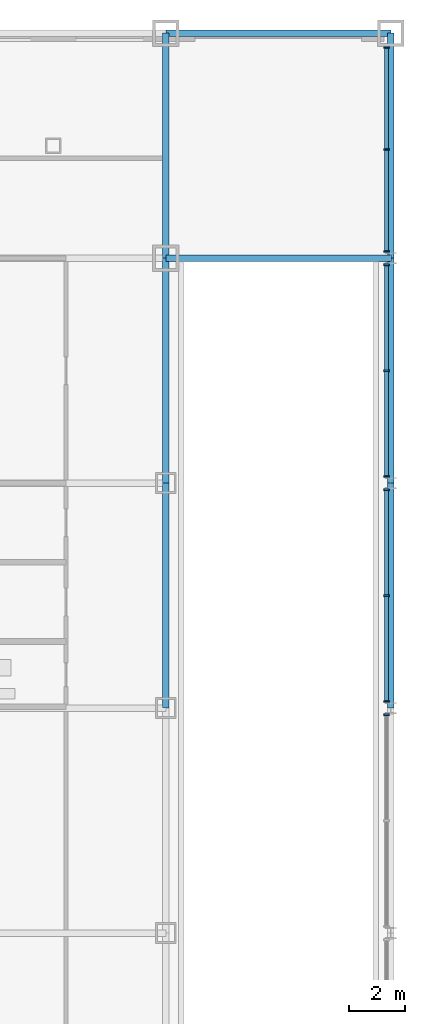
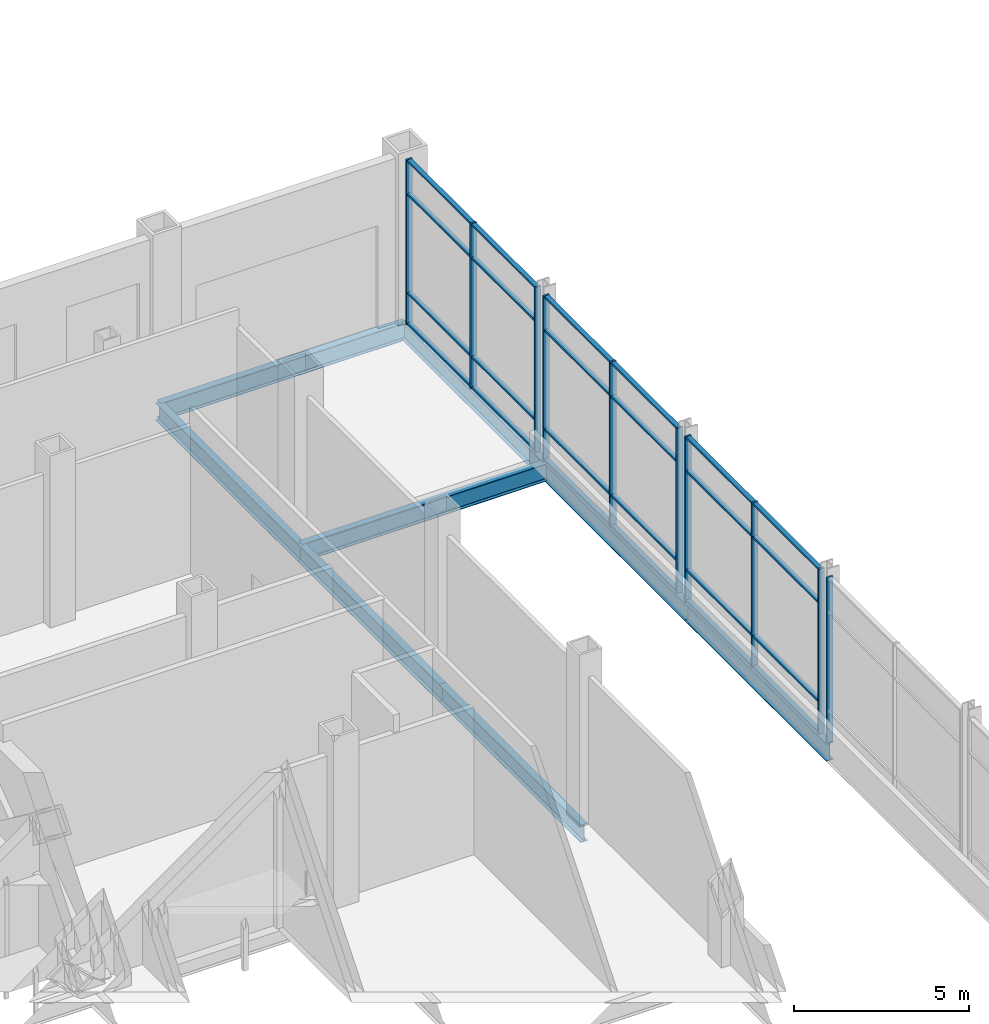
# One storey, part 18 of 35: 34 members, 8 beams, 4 elements without a shape of their own.
"""IFC4 building model written with IfcOpenShell, lengths in metres."""

import ifcopenshell
import ifcopenshell.guid

model = None  # the IFC model being written
_history = None  # IfcOwnerHistory: only IFC2X3 demands one
_inside = {}  # id of a spatial element -> (the spatial element, [elements in it])
_under = {}  # id of a project, library or spatial element -> (it, [spatial elements below it])
_declared = {}  # id of a project -> (the project, [libraries it declares])
_typed = {}  # id of a type object -> (the type object, [elements of that type])
_made_of = {}  # id of a material, layer set ... -> (it, [elements and type objects made of it])


def new_model(schema):
    """Start an empty IFC model of exactly this schema.

    Asked for "IFC4X3", IfcOpenShell would pick the latest addendum, in which some entities
    have other attributes; the version numbers below select the first issue.
    IFC2X3 requires an IfcOwnerHistory on every rooted entity: one is made here for all.
    """
    global model, _history
    if schema == "IFC4X3":
        model = ifcopenshell.file(schema_version=(4, 3, 0, 0))
    else:
        model = ifcopenshell.file(schema=schema)
    _inside.clear()
    _under.clear()
    _declared.clear()
    _typed.clear()
    _made_of.clear()
    _history = None
    if model.schema == "IFC2X3":
        org = make("IfcOrganization", Name="unknown")
        user = make(
            "IfcPersonAndOrganization",
            ThePerson=make("IfcPerson", FamilyName="unknown"),
            TheOrganization=org,
        )
        app = make(
            "IfcApplication",
            ApplicationDeveloper=org,
            Version="unknown",
            ApplicationFullName="unknown",
            ApplicationIdentifier="unknown",
        )
        _history = make(
            "IfcOwnerHistory",
            OwningUser=user,
            OwningApplication=app,
            ChangeAction="ADDED",
            CreationDate=0,
        )
    return model


def make(cls, **values):
    """One entity of the class cls with the attributes given. An attribute that is None is left unset."""
    return model.create_entity(
        cls, **{name: value for name, value in values.items() if value is not None}
    )


def rooted(cls, **values):
    """An entity with a GlobalId (a new one), such as an element, a storey or a relation."""
    return make(cls, GlobalId=ifcopenshell.guid.new(), OwnerHistory=_history, **values)


def si_unit(unit_type, name, prefix=None):
    """IfcSIUnit, for example si_unit("LENGTHUNIT", "METRE", prefix="MILLI")."""
    return make("IfcSIUnit", UnitType=unit_type, Prefix=prefix, Name=name)


def assignment(units):
    """IfcUnitAssignment: the units of a project."""
    return None if units is None else make("IfcUnitAssignment", Units=units)


def point(xyz):
    """IfcCartesianPoint."""
    return None if xyz is None else make("IfcCartesianPoint", Coordinates=xyz)


def direction(xyz):
    """IfcDirection."""
    return None if xyz is None else make("IfcDirection", DirectionRatios=xyz)


def frame(location, z_axis=None, x_axis=None):
    """IfcAxis2Placement3D, a coordinate frame: its origin and axes. An axis left out is left unset."""
    return make(
        "IfcAxis2Placement3D",
        Location=point(location),
        Axis=direction(z_axis),
        RefDirection=direction(x_axis),
    )


def frame_2d(location, x_axis=None):
    """IfcAxis2Placement2D, a coordinate frame in the plane: its origin and x axis."""
    return make(
        "IfcAxis2Placement2D", Location=point(location), RefDirection=direction(x_axis)
    )


def origin():
    """The frame at (0, 0, 0) with its axes left unset."""
    return frame((0.0, 0.0, 0.0))


def origin_2d():
    """The frame at (0, 0) in the plane with its x axis left unset."""
    return frame_2d((0.0, 0.0))


def place(relative_to, where):
    """IfcLocalPlacement: puts the frame where relative to a parent placement (None: the world)."""
    return make(
        "IfcLocalPlacement", PlacementRelTo=relative_to, RelativePlacement=where
    )


def context(
    kind, dimensions, precision=None, world=None, true_north=None, identifier=None
):
    """IfcGeometricRepresentationContext, for example the 3D "Model" context."""
    return make(
        "IfcGeometricRepresentationContext",
        ContextIdentifier=identifier,
        ContextType=kind,
        CoordinateSpaceDimension=dimensions,
        Precision=precision,
        WorldCoordinateSystem=world,
        TrueNorth=true_north,
    )


def subcontext(parent, identifier, kind, view, scale=None):
    """IfcGeometricRepresentationSubContext, for example "Body" below "Model"."""
    return make(
        "IfcGeometricRepresentationSubContext",
        ContextIdentifier=identifier,
        ContextType=kind,
        ParentContext=parent,
        TargetScale=scale,
        TargetView=view,
    )


def project(units=None, contexts=None):
    """IfcProject with its units and contexts."""
    return rooted(
        "IfcProject",
        Name="project",
        RepresentationContexts=contexts,
        UnitsInContext=assignment(units),
    )


def spatial(cls, under=None, at=None, **own):
    """A site, building, storey or space (cls), placed at a placement, below another one or the project."""
    s = rooted(cls, ObjectPlacement=at, **own)
    if under is not None:
        _under.setdefault(under.id(), (under, []))[1].append(s)
    return s


def profile(cls, at=None, kind="AREA", **sizes):
    """A parametric profile (cls). Its sizes go by their IFC names, for example OverallWidth=200.0."""
    return make(cls, ProfileType=kind, Position=at, **sizes)


def rectangle(**sizes):
    """IfcRectangleProfileDef."""
    return profile("IfcRectangleProfileDef", **sizes)


def i_section(**sizes):
    """IfcIShapeProfileDef."""
    return profile("IfcIShapeProfileDef", **sizes)


def extrude(swept, where, along, depth):
    """IfcExtrudedAreaSolid: the profile swept, set in the frame where, extruded along a direction by depth."""
    return make(
        "IfcExtrudedAreaSolid",
        SweptArea=swept,
        Position=where,
        ExtrudedDirection=direction(along),
        Depth=depth,
    )


def shape(context_of_items, identifier, shape_type, items):
    """IfcShapeRepresentation: the items that make up one representation, for example the "Body"."""
    return make(
        "IfcShapeRepresentation",
        ContextOfItems=context_of_items,
        RepresentationIdentifier=identifier,
        RepresentationType=shape_type,
        Items=items,
    )


def material(Name=None, Category=None):
    """IfcMaterial."""
    return make("IfcMaterial", Name=Name, Category=Category)


def material_profile(
    of_material, cross_section, Name=None, Category=None, Priority=None
):
    """IfcMaterialProfile: a cross section and its material."""
    return make(
        "IfcMaterialProfile",
        Name=Name,
        Material=of_material,
        Profile=cross_section,
        Priority=Priority,
        Category=Category,
    )


def profile_set(profiles, Name=None, composite=None):
    """IfcMaterialProfileSet."""
    return make(
        "IfcMaterialProfileSet",
        Name=Name,
        MaterialProfiles=profiles,
        CompositeProfile=composite,
    )


def made_of(thing, what):
    """Note that an element or type object is made of a material, layer set ...; save() writes the relation."""
    if what is not None:
        _made_of.setdefault(what.id(), (what, []))[1].append(thing)
    return thing


def type_object(cls, material=None, **own):
    """A type object (cls), such as IfcWallType, which elements share."""
    return made_of(rooted(cls, **own), material)


def element(
    cls,
    number,
    at=None,
    inside=None,
    cuts=None,
    type_object=None,
    material=None,
    context=None,
    identifier="Body",
    shape_type=None,
    held_by="IfcProductDefinitionShape",
    body=None,
    shapes=None,
    **own,
):
    """One element of the class cls, such as IfcWall. Its Tag is "e" and its number.

    at: its placement. inside: the storey or other place that contains it. cuts: it is an
    opening in that element (IfcRelVoidsElement). A single representation is given by context,
    identifier, shape_type and body (its items); several are given by shapes. held_by: the class
    of the entity that holds the representations. save() writes the other relations.
    """
    e = rooted(cls, Tag="e%d" % number, ObjectPlacement=at, **own)
    if body is not None:
        shapes = [shape(context, identifier, shape_type, body)]
    if shapes is not None:
        e.Representation = make(held_by, Representations=shapes)
    if inside is not None:
        _inside.setdefault(inside.id(), (inside, []))[1].append(e)
    if cuts is not None:
        rooted(
            "IfcRelVoidsElement", RelatingBuildingElement=cuts, RelatedOpeningElement=e
        )
    if type_object is not None:
        _typed.setdefault(type_object.id(), (type_object, []))[1].append(e)
    return made_of(e, material)


def aggregate(whole, parts):
    """IfcRelAggregates: a whole, such as a stair, and the parts it consists of."""
    return rooted("IfcRelAggregates", RelatingObject=whole, RelatedObjects=parts)


def save(model, path):
    """Write the relations noted so far, then the file.

    IfcRelAggregates (storeys below a building ...), IfcRelContainedInSpatialStructure (elements
    in a storey), IfcRelDefinesByType, IfcRelAssociatesMaterial and IfcRelDeclares: one each for
    every whole, place, type object, material and project.
    """
    for whole, parts in _under.values():
        aggregate(whole, parts)
    for where, things in _inside.values():
        rooted(
            "IfcRelContainedInSpatialStructure",
            RelatedElements=things,
            RelatingStructure=where,
        )
    for kind, things in _typed.values():
        rooted("IfcRelDefinesByType", RelatedObjects=things, RelatingType=kind)
    for what, things in _made_of.values():
        rooted("IfcRelAssociatesMaterial", RelatedObjects=things, RelatingMaterial=what)
    for by, libraries in _declared.values():
        rooted("IfcRelDeclares", RelatingContext=by, RelatedDefinitions=libraries)
    model.write(path)


model = new_model("IFC4")

# Units and contexts
model_context = context("Model", 3, precision=1e-05, world=origin(), true_north=direction((0.0, 1.0)))
body_context = subcontext(model_context, "Body", "Model", "MODEL_VIEW")
ifc_project = project(units=[si_unit("LENGTHUNIT", "METRE"), si_unit("AREAUNIT", "SQUARE_METRE"), si_unit("VOLUMEUNIT", "CUBIC_METRE"), si_unit("PLANEANGLEUNIT", "RADIAN"), si_unit("MASSUNIT", "GRAM", prefix="KILO")], contexts=[model_context])

# Site, building, storey
site_placement = place(None, origin())
site = spatial("IfcSite", under=ifc_project, at=site_placement, CompositionType="ELEMENT")
building_placement = place(site_placement, origin())
building = spatial("IfcBuilding", under=site, at=building_placement, Name="Kopane Lantern Tower", CompositionType="ELEMENT")
storey_placement = place(building_placement, origin())
storey = spatial("IfcBuildingStorey", under=building, at=storey_placement, Name="L00", CompositionType="ELEMENT", Elevation=0.0)

# Beams
ifc_material_1 = material(Name="Steel S355JR", Category="steel")
ifc_material_profile_1 = material_profile(ifc_material_1, i_section(OverallWidth=0.22900390625, OverallDepth=0.6123046875, WebThickness=0.011962890625, FlangeThickness=0.01953125, FilletRadius=0.0126953125, at=origin_2d()), Name="UB 610x229x125")
ifc_profile_set_1 = profile_set([ifc_material_profile_1], Name="Steel S355JR")
beam_type = type_object("IfcBeamType", Name="GIRDER UB 610x229x125", PredefinedType="BEAM", material=ifc_profile_set_1)
beam_1_placement = place(storey_placement, frame((56.699951171875, 24.300048828125, -0.55615234375), z_axis=(0.0, 1.0, 0.0), x_axis=(-1.0, 0.0, 0.0)))
element("IfcBeam", 1, at=beam_1_placement, inside=storey, type_object=beam_type, Name="Girder L00", PredefinedType="BEAM", context=body_context, shape_type="SweptSolid", body=[
    extrude(i_section(OverallWidth=0.22900390625, OverallDepth=0.6123046875, WebThickness=0.011962890625, FlangeThickness=0.01953125, FilletRadius=0.0126953125, at=origin_2d()), origin(), (0.0, 0.0, 1.0), 8.099853515625),
])
for number, where, z_axis, x_axis, name in (
    (2, (56.699951171875, 32.39990234375, -0.55615234375), (0.0, 1.0, 0.0), (-1.0, 0.0, 0.0), "Girder L00"),
    (3, (56.699951171875, 40.5, -0.55615234375), (0.0, 1.0, 0.0), (-1.0, 0.0, 0.0), "Girder L00"),
    (4, (56.699951171875, 40.5, -0.55615234375), (1.0, 0.0, 0.0), (0.0, 1.0, 0.0), "Girder L00"),
    (5, (56.699951171875, 48.60009765625, -0.55615234375), (1.0, 0.0, 0.0), (0.0, 1.0, 0.0), "Girder L00"),
):
    element("IfcBeam", number, at=place(storey_placement, frame(where, z_axis=z_axis, x_axis=x_axis)), inside=storey, type_object=beam_type, Name=name, PredefinedType="BEAM", context=body_context, shape_type="SweptSolid", body=[
        extrude(i_section(OverallWidth=0.22900390625, OverallDepth=0.6123046875, WebThickness=0.011962890625, FlangeThickness=0.01953125, FilletRadius=0.0126953125, at=origin_2d()), origin(), (0.0, 0.0, 1.0), 8.10009765625),
    ])
beam_2_placement = place(storey_placement, frame((64.800048828125, 24.300048828125, -0.55615234375), z_axis=(0.0, 1.0, 0.0), x_axis=(-1.0, 0.0, 0.0)))
element("IfcBeam", 6, at=beam_2_placement, inside=storey, type_object=beam_type, Name="Girder L00", PredefinedType="BEAM", context=body_context, shape_type="SweptSolid", body=[
    extrude(i_section(OverallWidth=0.22900390625, OverallDepth=0.6123046875, WebThickness=0.011962890625, FlangeThickness=0.01953125, FilletRadius=0.0126953125, at=origin_2d()), origin(), (0.0, 0.0, 1.0), 8.099853515625),
])
for number, where, z_axis, x_axis, name in (
    (7, (64.800048828125, 32.39990234375, -0.55615234375), (0.0, 1.0, 0.0), (-1.0, 0.0, 0.0), "Girder L00"),
    (8, (64.800048828125, 40.5, -0.55615234375), (0.0, 1.0, 0.0), (-1.0, 0.0, 0.0), "Girder L00"),
):
    element("IfcBeam", number, at=place(storey_placement, frame(where, z_axis=z_axis, x_axis=x_axis)), inside=storey, type_object=beam_type, Name=name, PredefinedType="BEAM", context=body_context, shape_type="SweptSolid", body=[
        extrude(i_section(OverallWidth=0.22900390625, OverallDepth=0.6123046875, WebThickness=0.011962890625, FlangeThickness=0.01953125, FilletRadius=0.0126953125, at=origin_2d()), origin(), (0.0, 0.0, 1.0), 8.10009765625),
    ])

# Curtain wall, member
ifc_material_2 = material(Name="Aluminium and clear glass", Category="aluminium")
curtain_wall_type = type_object("IfcCurtainWallType", Name="CURTAIN WALL CW1 PODIUM STOREFRONT", PredefinedType="USERDEFINED", material=ifc_material_2)
curtain_wall_1_placement = place(storey_placement, origin())
curtain_wall_1 = element("IfcCurtainWall", 9, at=curtain_wall_1_placement, inside=storey, type_object=curtain_wall_type, Name="Curtain wall CW1 E L00", ObjectType="CURTAIN WALL", PredefinedType="USERDEFINED")
ifc_material_3 = material(Name="Aluminium", Category="aluminium")
ifc_material_profile_2 = material_profile(ifc_material_3, rectangle(XDim=0.06494140625, YDim=0.199951171875, at=origin_2d()), Name="AL 65x200")
ifc_profile_set_2 = profile_set([ifc_material_profile_2], Name="Aluminium")
member_type_1 = type_object("IfcMemberType", Name="MULLION CW1-M 65x200", PredefinedType="MULLION", material=ifc_profile_set_2)
member_1_placement = place(storey_placement, frame((64.64990234375, 24.059326171875, 0.0), z_axis=(0.0, 0.0, 1.0), x_axis=(0.0, 1.0, 0.0)))
member_1 = element("IfcMember", 10, at=member_1_placement, type_object=member_type_1, Name="CW1 mullion 3", PredefinedType="MULLION", context=body_context, shape_type="SweptSolid", body=[
    extrude(rectangle(XDim=0.06494140625, YDim=0.199951171875, at=origin_2d()), origin(), (0.0, 0.0, 1.0), 5.75),
])
aggregate(curtain_wall_1, [member_1])

# Curtain wall, members
curtain_wall_2_placement = place(storey_placement, origin())
curtain_wall_2 = element("IfcCurtainWall", 11, at=curtain_wall_2_placement, inside=storey, type_object=curtain_wall_type, Name="Curtain wall CW1 E L00", ObjectType="CURTAIN WALL", PredefinedType="USERDEFINED")
member_2_placement = place(storey_placement, frame((64.64990234375, 24.540771484375, 0.0), z_axis=(0.0, 0.0, 1.0), x_axis=(0.0, 1.0, 0.0)))
member_2 = element("IfcMember", 12, at=member_2_placement, type_object=member_type_1, Name="CW1 mullion 1", PredefinedType="MULLION", context=body_context, shape_type="SweptSolid", body=[
    extrude(rectangle(XDim=0.06494140625, YDim=0.199951171875, at=origin_2d()), origin(), (0.0, 0.0, 1.0), 5.75),
])
member_3_placement = place(storey_placement, frame((64.64990234375, 28.35009765625, 0.0), z_axis=(0.0, 0.0, 1.0), x_axis=(0.0, 1.0, 0.0)))
member_3 = element("IfcMember", 13, at=member_3_placement, type_object=member_type_1, Name="CW1 mullion 2", PredefinedType="MULLION", context=body_context, shape_type="SweptSolid", body=[
    extrude(rectangle(XDim=0.06494140625, YDim=0.199951171875, at=origin_2d()), origin(), (0.0, 0.0, 1.0), 5.75),
])
member_4_placement = place(storey_placement, frame((64.64990234375, 32.1591796875, 0.0), z_axis=(0.0, 0.0, 1.0), x_axis=(0.0, 1.0, 0.0)))
member_4 = element("IfcMember", 14, at=member_4_placement, type_object=member_type_1, Name="CW1 mullion 3", PredefinedType="MULLION", context=body_context, shape_type="SweptSolid", body=[
    extrude(rectangle(XDim=0.06494140625, YDim=0.199951171875, at=origin_2d()), origin(), (0.0, 0.0, 1.0), 5.75),
])

curtain_wall_3_placement = place(storey_placement, origin())
curtain_wall_3 = element("IfcCurtainWall", 15, at=curtain_wall_3_placement, inside=storey, type_object=curtain_wall_type, Name="Curtain wall CW1 E L00", ObjectType="CURTAIN WALL", PredefinedType="USERDEFINED")
member_5_placement = place(storey_placement, frame((64.64990234375, 32.640625, 0.0), z_axis=(0.0, 0.0, 1.0), x_axis=(0.0, 1.0, 0.0)))
member_5 = element("IfcMember", 16, at=member_5_placement, type_object=member_type_1, Name="CW1 mullion 1", PredefinedType="MULLION", context=body_context, shape_type="SweptSolid", body=[
    extrude(rectangle(XDim=0.06494140625, YDim=0.199951171875, at=origin_2d()), origin(), (0.0, 0.0, 1.0), 5.75),
])
member_6_placement = place(storey_placement, frame((64.64990234375, 36.449951171875, 0.0), z_axis=(0.0, 0.0, 1.0), x_axis=(0.0, 1.0, 0.0)))
member_6 = element("IfcMember", 17, at=member_6_placement, type_object=member_type_1, Name="CW1 mullion 2", PredefinedType="MULLION", context=body_context, shape_type="SweptSolid", body=[
    extrude(rectangle(XDim=0.06494140625, YDim=0.199951171875, at=origin_2d()), origin(), (0.0, 0.0, 1.0), 5.75),
])
member_7_placement = place(storey_placement, frame((64.64990234375, 40.25927734375, 0.0), z_axis=(0.0, 0.0, 1.0), x_axis=(0.0, 1.0, 0.0)))
member_7 = element("IfcMember", 18, at=member_7_placement, type_object=member_type_1, Name="CW1 mullion 3", PredefinedType="MULLION", context=body_context, shape_type="SweptSolid", body=[
    extrude(rectangle(XDim=0.06494140625, YDim=0.199951171875, at=origin_2d()), origin(), (0.0, 0.0, 1.0), 5.75),
])

curtain_wall_4_placement = place(storey_placement, origin())
curtain_wall_4 = element("IfcCurtainWall", 19, at=curtain_wall_4_placement, inside=storey, type_object=curtain_wall_type, Name="Curtain wall CW1 E L00", ObjectType="CURTAIN WALL", PredefinedType="USERDEFINED")
member_8_placement = place(storey_placement, frame((64.64990234375, 40.74072265625, 0.0), z_axis=(0.0, 0.0, 1.0), x_axis=(0.0, 1.0, 0.0)))
member_8 = element("IfcMember", 20, at=member_8_placement, type_object=member_type_1, Name="CW1 mullion 1", PredefinedType="MULLION", context=body_context, shape_type="SweptSolid", body=[
    extrude(rectangle(XDim=0.06494140625, YDim=0.199951171875, at=origin_2d()), origin(), (0.0, 0.0, 1.0), 5.75),
])
member_9_placement = place(storey_placement, frame((64.64990234375, 44.4140625, 0.0), z_axis=(0.0, 0.0, 1.0), x_axis=(0.0, 1.0, 0.0)))
member_9 = element("IfcMember", 21, at=member_9_placement, type_object=member_type_1, Name="CW1 mullion 2", PredefinedType="MULLION", context=body_context, shape_type="SweptSolid", body=[
    extrude(rectangle(XDim=0.06494140625, YDim=0.199951171875, at=origin_2d()), origin(), (0.0, 0.0, 1.0), 5.75),
])
member_10_placement = place(storey_placement, frame((64.64990234375, 48.08740234375, 0.0), z_axis=(0.0, 0.0, 1.0), x_axis=(0.0, 1.0, 0.0)))
member_10 = element("IfcMember", 22, at=member_10_placement, type_object=member_type_1, Name="CW1 mullion 3", PredefinedType="MULLION", context=body_context, shape_type="SweptSolid", body=[
    extrude(rectangle(XDim=0.06494140625, YDim=0.199951171875, at=origin_2d()), origin(), (0.0, 0.0, 1.0), 5.75),
])

# Member
ifc_material_4 = material(Name="Aluminium", Category="aluminium")
ifc_material_profile_3 = material_profile(ifc_material_4, rectangle(XDim=0.14990234375, YDim=0.06494140625, at=origin_2d()), Name="AL 150x65")
ifc_profile_set_3 = profile_set([ifc_material_profile_3], Name="Aluminium")
member_type_2 = type_object("IfcMemberType", Name="TRANSOM CW1-T 65x150", PredefinedType="USERDEFINED", material=ifc_profile_set_3)
member_11_placement = place(storey_placement, frame((64.64990234375, 24.5732421875, 0.032470703125), z_axis=(0.0, 1.0, 0.0), x_axis=(-1.0, 0.0, 0.0)))
member_11 = element("IfcMember", 23, at=member_11_placement, type_object=member_type_2, Name="CW1 transom 1.1", ObjectType="TRANSOM", PredefinedType="USERDEFINED", context=body_context, shape_type="SweptSolid", body=[
    extrude(rectangle(XDim=0.14990234375, YDim=0.06494140625, at=origin_2d()), origin(), (0.0, 0.0, 1.0), 3.744140625),
])

member_12_placement = place(storey_placement, frame((64.64990234375, 24.5732421875, 1.10009765625), z_axis=(0.0, 1.0, 0.0), x_axis=(-1.0, 0.0, 0.0)))
member_12 = element("IfcMember", 24, at=member_12_placement, type_object=member_type_2, Name="CW1 transom 1.2", ObjectType="TRANSOM", PredefinedType="USERDEFINED", context=body_context, shape_type="SweptSolid", body=[
    extrude(rectangle(XDim=0.14990234375, YDim=0.06494140625, at=origin_2d()), origin(), (0.0, 0.0, 1.0), 3.744140625),
])

member_13_placement = place(storey_placement, frame((64.64990234375, 24.5732421875, 4.550048828125), z_axis=(0.0, 1.0, 0.0), x_axis=(-1.0, 0.0, 0.0)))
member_13 = element("IfcMember", 25, at=member_13_placement, type_object=member_type_2, Name="CW1 transom 1.3", ObjectType="TRANSOM", PredefinedType="USERDEFINED", context=body_context, shape_type="SweptSolid", body=[
    extrude(rectangle(XDim=0.14990234375, YDim=0.06494140625, at=origin_2d()), origin(), (0.0, 0.0, 1.0), 3.744140625),
])

member_14_placement = place(storey_placement, frame((64.64990234375, 24.5732421875, 5.717529296875), z_axis=(0.0, 1.0, 0.0), x_axis=(-1.0, 0.0, 0.0)))
member_14 = element("IfcMember", 26, at=member_14_placement, type_object=member_type_2, Name="CW1 transom 1.4", ObjectType="TRANSOM", PredefinedType="USERDEFINED", context=body_context, shape_type="SweptSolid", body=[
    extrude(rectangle(XDim=0.14990234375, YDim=0.06494140625, at=origin_2d()), origin(), (0.0, 0.0, 1.0), 3.744140625),
])

member_15_placement = place(storey_placement, frame((64.64990234375, 28.382568359375, 0.032470703125), z_axis=(0.0, 1.0, 0.0), x_axis=(-1.0, 0.0, 0.0)))
member_15 = element("IfcMember", 27, at=member_15_placement, type_object=member_type_2, Name="CW1 transom 2.1", ObjectType="TRANSOM", PredefinedType="USERDEFINED", context=body_context, shape_type="SweptSolid", body=[
    extrude(rectangle(XDim=0.14990234375, YDim=0.06494140625, at=origin_2d()), origin(), (0.0, 0.0, 1.0), 3.744140625),
])

member_16_placement = place(storey_placement, frame((64.64990234375, 28.382568359375, 1.10009765625), z_axis=(0.0, 1.0, 0.0), x_axis=(-1.0, 0.0, 0.0)))
member_16 = element("IfcMember", 28, at=member_16_placement, type_object=member_type_2, Name="CW1 transom 2.2", ObjectType="TRANSOM", PredefinedType="USERDEFINED", context=body_context, shape_type="SweptSolid", body=[
    extrude(rectangle(XDim=0.14990234375, YDim=0.06494140625, at=origin_2d()), origin(), (0.0, 0.0, 1.0), 3.744140625),
])

member_17_placement = place(storey_placement, frame((64.64990234375, 28.382568359375, 4.550048828125), z_axis=(0.0, 1.0, 0.0), x_axis=(-1.0, 0.0, 0.0)))
member_17 = element("IfcMember", 29, at=member_17_placement, type_object=member_type_2, Name="CW1 transom 2.3", ObjectType="TRANSOM", PredefinedType="USERDEFINED", context=body_context, shape_type="SweptSolid", body=[
    extrude(rectangle(XDim=0.14990234375, YDim=0.06494140625, at=origin_2d()), origin(), (0.0, 0.0, 1.0), 3.744140625),
])

member_18_placement = place(storey_placement, frame((64.64990234375, 28.382568359375, 5.717529296875), z_axis=(0.0, 1.0, 0.0), x_axis=(-1.0, 0.0, 0.0)))
member_18 = element("IfcMember", 30, at=member_18_placement, type_object=member_type_2, Name="CW1 transom 2.4", ObjectType="TRANSOM", PredefinedType="USERDEFINED", context=body_context, shape_type="SweptSolid", body=[
    extrude(rectangle(XDim=0.14990234375, YDim=0.06494140625, at=origin_2d()), origin(), (0.0, 0.0, 1.0), 3.744140625),
])

aggregate(curtain_wall_2, [member_2, member_3, member_4, member_11, member_12, member_13, member_14, member_15, member_16, member_17, member_18])

member_19_placement = place(storey_placement, frame((64.64990234375, 32.673095703125, 0.032470703125), z_axis=(0.0, 1.0, 0.0), x_axis=(-1.0, 0.0, 0.0)))
member_19 = element("IfcMember", 31, at=member_19_placement, type_object=member_type_2, Name="CW1 transom 1.1", ObjectType="TRANSOM", PredefinedType="USERDEFINED", context=body_context, shape_type="SweptSolid", body=[
    extrude(rectangle(XDim=0.14990234375, YDim=0.06494140625, at=origin_2d()), origin(), (0.0, 0.0, 1.0), 3.744384765625),
])

member_20_placement = place(storey_placement, frame((64.64990234375, 32.673095703125, 1.10009765625), z_axis=(0.0, 1.0, 0.0), x_axis=(-1.0, 0.0, 0.0)))
member_20 = element("IfcMember", 32, at=member_20_placement, type_object=member_type_2, Name="CW1 transom 1.2", ObjectType="TRANSOM", PredefinedType="USERDEFINED", context=body_context, shape_type="SweptSolid", body=[
    extrude(rectangle(XDim=0.14990234375, YDim=0.06494140625, at=origin_2d()), origin(), (0.0, 0.0, 1.0), 3.744384765625),
])

member_21_placement = place(storey_placement, frame((64.64990234375, 32.673095703125, 4.550048828125), z_axis=(0.0, 1.0, 0.0), x_axis=(-1.0, 0.0, 0.0)))
member_21 = element("IfcMember", 33, at=member_21_placement, type_object=member_type_2, Name="CW1 transom 1.3", ObjectType="TRANSOM", PredefinedType="USERDEFINED", context=body_context, shape_type="SweptSolid", body=[
    extrude(rectangle(XDim=0.14990234375, YDim=0.06494140625, at=origin_2d()), origin(), (0.0, 0.0, 1.0), 3.744384765625),
])

member_22_placement = place(storey_placement, frame((64.64990234375, 32.673095703125, 5.717529296875), z_axis=(0.0, 1.0, 0.0), x_axis=(-1.0, 0.0, 0.0)))
member_22 = element("IfcMember", 34, at=member_22_placement, type_object=member_type_2, Name="CW1 transom 1.4", ObjectType="TRANSOM", PredefinedType="USERDEFINED", context=body_context, shape_type="SweptSolid", body=[
    extrude(rectangle(XDim=0.14990234375, YDim=0.06494140625, at=origin_2d()), origin(), (0.0, 0.0, 1.0), 3.744384765625),
])

member_23_placement = place(storey_placement, frame((64.64990234375, 36.482421875, 0.032470703125), z_axis=(0.0, 1.0, 0.0), x_axis=(-1.0, 0.0, 0.0)))
member_23 = element("IfcMember", 35, at=member_23_placement, type_object=member_type_2, Name="CW1 transom 2.1", ObjectType="TRANSOM", PredefinedType="USERDEFINED", context=body_context, shape_type="SweptSolid", body=[
    extrude(rectangle(XDim=0.14990234375, YDim=0.06494140625, at=origin_2d()), origin(), (0.0, 0.0, 1.0), 3.744384765625),
])

member_24_placement = place(storey_placement, frame((64.64990234375, 36.482421875, 1.10009765625), z_axis=(0.0, 1.0, 0.0), x_axis=(-1.0, 0.0, 0.0)))
member_24 = element("IfcMember", 36, at=member_24_placement, type_object=member_type_2, Name="CW1 transom 2.2", ObjectType="TRANSOM", PredefinedType="USERDEFINED", context=body_context, shape_type="SweptSolid", body=[
    extrude(rectangle(XDim=0.14990234375, YDim=0.06494140625, at=origin_2d()), origin(), (0.0, 0.0, 1.0), 3.744384765625),
])

member_25_placement = place(storey_placement, frame((64.64990234375, 36.482421875, 4.550048828125), z_axis=(0.0, 1.0, 0.0), x_axis=(-1.0, 0.0, 0.0)))
member_25 = element("IfcMember", 37, at=member_25_placement, type_object=member_type_2, Name="CW1 transom 2.3", ObjectType="TRANSOM", PredefinedType="USERDEFINED", context=body_context, shape_type="SweptSolid", body=[
    extrude(rectangle(XDim=0.14990234375, YDim=0.06494140625, at=origin_2d()), origin(), (0.0, 0.0, 1.0), 3.744384765625),
])

member_26_placement = place(storey_placement, frame((64.64990234375, 36.482421875, 5.717529296875), z_axis=(0.0, 1.0, 0.0), x_axis=(-1.0, 0.0, 0.0)))
member_26 = element("IfcMember", 38, at=member_26_placement, type_object=member_type_2, Name="CW1 transom 2.4", ObjectType="TRANSOM", PredefinedType="USERDEFINED", context=body_context, shape_type="SweptSolid", body=[
    extrude(rectangle(XDim=0.14990234375, YDim=0.06494140625, at=origin_2d()), origin(), (0.0, 0.0, 1.0), 3.744384765625),
])

aggregate(curtain_wall_3, [member_5, member_6, member_7, member_19, member_20, member_21, member_22, member_23, member_24, member_25, member_26])

member_27_placement = place(storey_placement, frame((64.64990234375, 40.773193359375, 0.032470703125), z_axis=(0.0, 1.0, 0.0), x_axis=(-1.0, 0.0, 0.0)))
member_27 = element("IfcMember", 39, at=member_27_placement, type_object=member_type_2, Name="CW1 transom 1.1", ObjectType="TRANSOM", PredefinedType="USERDEFINED", context=body_context, shape_type="SweptSolid", body=[
    extrude(rectangle(XDim=0.14990234375, YDim=0.06494140625, at=origin_2d()), origin(), (0.0, 0.0, 1.0), 3.6083984375),
])

member_28_placement = place(storey_placement, frame((64.64990234375, 40.773193359375, 1.10009765625), z_axis=(0.0, 1.0, 0.0), x_axis=(-1.0, 0.0, 0.0)))
member_28 = element("IfcMember", 40, at=member_28_placement, type_object=member_type_2, Name="CW1 transom 1.2", ObjectType="TRANSOM", PredefinedType="USERDEFINED", context=body_context, shape_type="SweptSolid", body=[
    extrude(rectangle(XDim=0.14990234375, YDim=0.06494140625, at=origin_2d()), origin(), (0.0, 0.0, 1.0), 3.6083984375),
])

member_29_placement = place(storey_placement, frame((64.64990234375, 40.773193359375, 4.550048828125), z_axis=(0.0, 1.0, 0.0), x_axis=(-1.0, 0.0, 0.0)))
member_29 = element("IfcMember", 41, at=member_29_placement, type_object=member_type_2, Name="CW1 transom 1.3", ObjectType="TRANSOM", PredefinedType="USERDEFINED", context=body_context, shape_type="SweptSolid", body=[
    extrude(rectangle(XDim=0.14990234375, YDim=0.06494140625, at=origin_2d()), origin(), (0.0, 0.0, 1.0), 3.6083984375),
])

member_30_placement = place(storey_placement, frame((64.64990234375, 40.773193359375, 5.717529296875), z_axis=(0.0, 1.0, 0.0), x_axis=(-1.0, 0.0, 0.0)))
member_30 = element("IfcMember", 42, at=member_30_placement, type_object=member_type_2, Name="CW1 transom 1.4", ObjectType="TRANSOM", PredefinedType="USERDEFINED", context=body_context, shape_type="SweptSolid", body=[
    extrude(rectangle(XDim=0.14990234375, YDim=0.06494140625, at=origin_2d()), origin(), (0.0, 0.0, 1.0), 3.6083984375),
])

member_31_placement = place(storey_placement, frame((64.64990234375, 44.446533203125, 0.032470703125), z_axis=(0.0, 1.0, 0.0), x_axis=(-1.0, 0.0, 0.0)))
member_31 = element("IfcMember", 43, at=member_31_placement, type_object=member_type_2, Name="CW1 transom 2.1", ObjectType="TRANSOM", PredefinedType="USERDEFINED", context=body_context, shape_type="SweptSolid", body=[
    extrude(rectangle(XDim=0.14990234375, YDim=0.06494140625, at=origin_2d()), origin(), (0.0, 0.0, 1.0), 3.6083984375),
])

member_32_placement = place(storey_placement, frame((64.64990234375, 44.446533203125, 1.10009765625), z_axis=(0.0, 1.0, 0.0), x_axis=(-1.0, 0.0, 0.0)))
member_32 = element("IfcMember", 44, at=member_32_placement, type_object=member_type_2, Name="CW1 transom 2.2", ObjectType="TRANSOM", PredefinedType="USERDEFINED", context=body_context, shape_type="SweptSolid", body=[
    extrude(rectangle(XDim=0.14990234375, YDim=0.06494140625, at=origin_2d()), origin(), (0.0, 0.0, 1.0), 3.6083984375),
])

member_33_placement = place(storey_placement, frame((64.64990234375, 44.446533203125, 4.550048828125), z_axis=(0.0, 1.0, 0.0), x_axis=(-1.0, 0.0, 0.0)))
member_33 = element("IfcMember", 45, at=member_33_placement, type_object=member_type_2, Name="CW1 transom 2.3", ObjectType="TRANSOM", PredefinedType="USERDEFINED", context=body_context, shape_type="SweptSolid", body=[
    extrude(rectangle(XDim=0.14990234375, YDim=0.06494140625, at=origin_2d()), origin(), (0.0, 0.0, 1.0), 3.6083984375),
])

member_34_placement = place(storey_placement, frame((64.64990234375, 44.446533203125, 5.717529296875), z_axis=(0.0, 1.0, 0.0), x_axis=(-1.0, 0.0, 0.0)))
member_34 = element("IfcMember", 46, at=member_34_placement, type_object=member_type_2, Name="CW1 transom 2.4", ObjectType="TRANSOM", PredefinedType="USERDEFINED", context=body_context, shape_type="SweptSolid", body=[
    extrude(rectangle(XDim=0.14990234375, YDim=0.06494140625, at=origin_2d()), origin(), (0.0, 0.0, 1.0), 3.6083984375),
])

aggregate(curtain_wall_4, [member_8, member_9, member_10, member_27, member_28, member_29, member_30, member_31, member_32, member_33, member_34])

save(model, "model.ifc")
